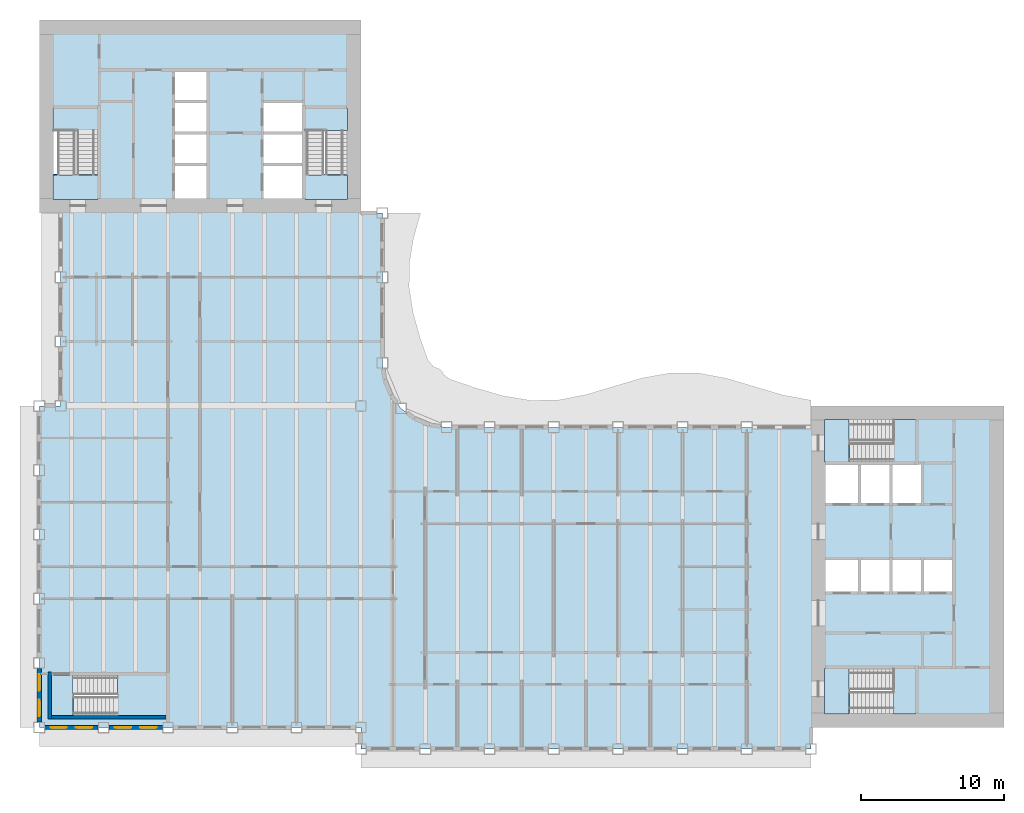
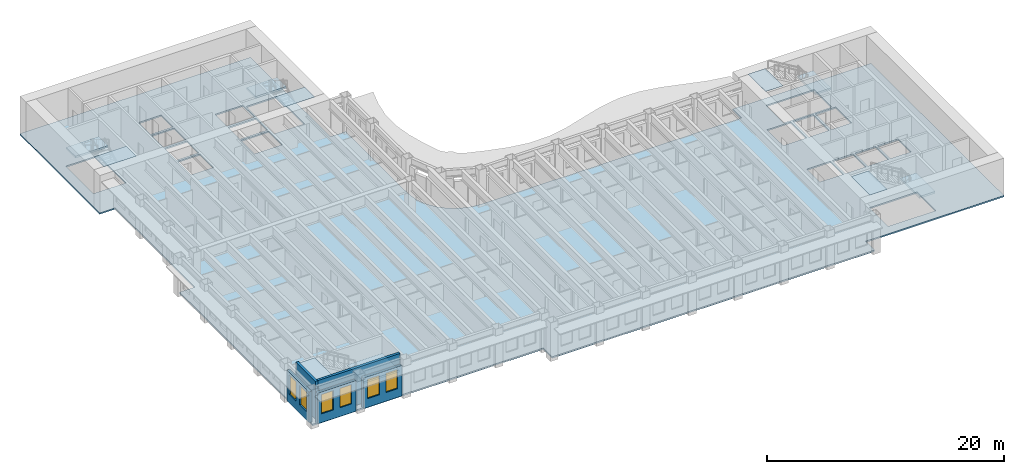
# One storey, part 2 of 17: 11 slabs, 6 windows, 5 walls, 6 openings, 5 elements without a shape of their own.
"""IFC4 building model written with IfcOpenShell, lengths in metres."""

from ifc_helpers import new_model, si_unit, direction, frame, frame_2d, origin, place, context, subcontext, project, spatial, polyline, rectangle, outline, extrude, material, layer, layer_set, type_object, element, fill, aggregate, save


model = new_model("IFC4")

# Units and contexts
model_context = context("Model", 3, precision=1e-05, world=origin(), true_north=direction((0.0, 1.0)))
body_context = subcontext(model_context, "Body", "Model", "MODEL_VIEW")
ifc_project = project(units=[si_unit("LENGTHUNIT", "METRE"), si_unit("AREAUNIT", "SQUARE_METRE"), si_unit("VOLUMEUNIT", "CUBIC_METRE"), si_unit("PLANEANGLEUNIT", "RADIAN"), si_unit("MASSUNIT", "GRAM", prefix="KILO")], contexts=[model_context])

# Site, building, storey
site_placement = place(None, origin())
site = spatial("IfcSite", under=ifc_project, at=site_placement, CompositionType="ELEMENT")
building_placement = place(site_placement, origin())
building = spatial("IfcBuilding", under=site, at=building_placement, Name="Sennacour Bend Tower", CompositionType="ELEMENT")
storey_placement = place(building_placement, frame((0.0, 0.0, 195.0)))
storey = spatial("IfcBuildingStorey", under=building, at=storey_placement, Name="L44", CompositionType="ELEMENT", Elevation=195.0)

# Slabs
ifc_material_1 = material(Name="Concrete C30/37", Category="concrete")
ifc_layer_1 = layer(ifc_material_1, 0.14990234375, Name="Concrete C30/37", Category="concrete")
ifc_layer_set_1 = layer_set([ifc_layer_1], Name="Concrete C30/37")
slab_type_1 = type_object("IfcSlabType", Name="Floor slab 150", PredefinedType="FLOOR", material=ifc_layer_set_1)
slab_1_placement = place(storey_placement, frame((0.0, 0.0, -0.14990234375)))
element("IfcSlab", 1, at=slab_1_placement, inside=storey, type_object=slab_type_1, Name="Floor slab L44-01", PredefinedType="FLOOR", context=body_context, shape_type="SweptSolid", body=[
    extrude(outline(polyline([(22.5, 0.0), (0.0, 0.0), (0.0, 22.5), (1.5, 22.5), (1.5, 36.0), (0.0, 36.0), (0.0, 49.5), (22.5, 49.5), (22.5, 36.0), (24.0, 36.0), (24.0, 25.5), (24.1533203125, 24.335205078125), (24.602783203125, 23.25), (25.318115234375, 22.318115234375), (26.25, 21.602783203125), (27.335205078125, 21.1533203125), (28.5, 21.0), (54.0, 21.0), (54.0, 22.5), (67.5, 22.5), (67.5, 0.0), (54.0, 0.0), (54.0, -1.5), (22.5, -1.5), (22.5, 0.0)]), holes=[polyline([(8.800048828125, 0.949951171875), (8.800048828125, 3.5), (2.429931640625, 3.5), (2.429931640625, 0.949951171875), (8.800048828125, 0.949951171875)]), polyline([(11.699951171875, 37.0), (11.699951171875, 39.300048828125), (9.5, 39.300048828125), (9.5, 37.0), (11.699951171875, 37.0)]), polyline([(18.39990234375, 37.0), (18.39990234375, 39.300048828125), (15.699951171875, 39.300048828125), (15.699951171875, 37.0), (18.39990234375, 37.0)]), polyline([(11.699951171875, 39.5), (11.699951171875, 41.5), (9.5, 41.5), (9.5, 39.5), (11.699951171875, 39.5)]), polyline([(18.39990234375, 39.5), (18.39990234375, 41.5), (15.699951171875, 41.5), (15.699951171875, 39.5), (18.39990234375, 39.5)]), polyline([(4.125, 38.72998046875), (4.125, 43.39990234375), (0.949951171875, 43.39990234375), (0.949951171875, 38.72998046875), (4.125, 38.72998046875)]), polyline([(21.550048828125, 38.72998046875), (21.550048828125, 43.39990234375), (18.574951171875, 43.39990234375), (18.574951171875, 38.72998046875), (21.550048828125, 38.72998046875)]), polyline([(9.5, 41.699951171875), (11.699951171875, 41.699951171875), (11.699951171875, 43.699951171875), (9.5, 43.699951171875), (9.5, 41.699951171875)]), polyline([(15.699951171875, 41.699951171875), (18.39990234375, 41.699951171875), (18.39990234375, 43.699951171875), (15.699951171875, 43.699951171875), (15.699951171875, 41.699951171875)]), polyline([(11.699951171875, 43.89990234375), (11.699951171875, 45.89990234375), (9.5, 45.89990234375), (9.5, 43.89990234375), (11.699951171875, 43.89990234375)]), polyline([(61.39990234375, 0.949951171875), (61.39990234375, 4.125), (56.72998046875, 4.125), (56.72998046875, 0.949951171875), (61.39990234375, 0.949951171875)]), polyline([(57.300048828125, 9.5), (57.300048828125, 11.699951171875), (55.0, 11.699951171875), (55.0, 9.5), (57.300048828125, 9.5)]), polyline([(57.5, 9.5), (59.5, 9.5), (59.5, 11.699951171875), (57.5, 11.699951171875), (57.5, 9.5)]), polyline([(59.699951171875, 9.5), (61.699951171875, 9.5), (61.699951171875, 11.699951171875), (59.699951171875, 11.699951171875), (59.699951171875, 9.5)]), polyline([(63.89990234375, 9.5), (63.89990234375, 11.699951171875), (61.89990234375, 11.699951171875), (61.89990234375, 9.5), (63.89990234375, 9.5)]), polyline([(57.300048828125, 15.699951171875), (57.300048828125, 18.39990234375), (55.0, 18.39990234375), (55.0, 15.699951171875), (57.300048828125, 15.699951171875)]), polyline([(59.5, 15.699951171875), (59.5, 18.39990234375), (57.5, 18.39990234375), (57.5, 15.699951171875), (59.5, 15.699951171875)]), polyline([(59.699951171875, 15.699951171875), (61.699951171875, 15.699951171875), (61.699951171875, 18.39990234375), (59.699951171875, 18.39990234375), (59.699951171875, 15.699951171875)]), polyline([(56.72998046875, 18.574951171875), (61.39990234375, 18.574951171875), (61.39990234375, 21.550048828125), (56.72998046875, 21.550048828125), (56.72998046875, 18.574951171875)])]), origin(), (0.0, 0.0, 1.0), 0.14990234375),
])
ifc_material_2 = material(Name="Concrete C40/50", Category="concrete")
ifc_layer_2 = layer(ifc_material_2, 0.034912109375, Name="Concrete C40/50", Category="concrete")
ifc_layer_set_2 = layer_set([ifc_layer_2], Name="Concrete C40/50")
slab_type_2 = type_object("IfcSlabType", Name="Stair arrival nib 35", PredefinedType="FLOOR", material=ifc_layer_set_2)
slab_2_placement = place(storey_placement, frame((0.0, 0.0, 3.815185546875)))
element("IfcSlab", 2, at=slab_2_placement, inside=storey, type_object=slab_type_2, Name="L44 SA1 stair arrival nib", PredefinedType="FLOOR", context=body_context, shape_type="SweptSolid", body=[
    extrude(outline(polyline([(56.64208984375, 4.125), (54.949951171875, 4.125), (54.949951171875, 0.949951171875), (56.64208984375, 0.949951171875), (56.64208984375, 4.125)])), origin(), (0.0, 0.0, 1.0), 0.034912109375),
])
slab_3_placement = place(storey_placement, frame((0.0, 0.0, 3.815185546875)))
element("IfcSlab", 3, at=slab_3_placement, inside=storey, type_object=slab_type_2, Name="L44 SA2 stair arrival nib", PredefinedType="FLOOR", context=body_context, shape_type="SweptSolid", body=[
    extrude(outline(polyline([(56.64208984375, 21.550048828125), (54.949951171875, 21.550048828125), (54.949951171875, 18.574951171875), (56.64208984375, 18.574951171875), (56.64208984375, 21.550048828125)])), origin(), (0.0, 0.0, 1.0), 0.034912109375),
])
slab_4_placement = place(storey_placement, frame((0.0, 0.0, 3.815185546875)))
element("IfcSlab", 4, at=slab_4_placement, inside=storey, type_object=slab_type_2, Name="L44 SB1 stair arrival nib", PredefinedType="FLOOR", context=body_context, shape_type="SweptSolid", body=[
    extrude(outline(polyline([(0.949951171875, 38.64208984375), (0.949951171875, 36.949951171875), (4.125, 36.949951171875), (4.125, 38.64208984375), (0.949951171875, 38.64208984375)])), origin(), (0.0, 0.0, 1.0), 0.034912109375),
])
slab_5_placement = place(storey_placement, frame((0.0, 0.0, 3.815185546875)))
element("IfcSlab", 5, at=slab_5_placement, inside=storey, type_object=slab_type_2, Name="L44 SB2 stair arrival nib", PredefinedType="FLOOR", context=body_context, shape_type="SweptSolid", body=[
    extrude(outline(polyline([(18.574951171875, 38.64208984375), (18.574951171875, 36.949951171875), (21.550048828125, 36.949951171875), (21.550048828125, 38.64208984375), (18.574951171875, 38.64208984375)])), origin(), (0.0, 0.0, 1.0), 0.034912109375),
])
slab_6_placement = place(storey_placement, frame((0.0, 0.0, 3.815185546875)))
element("IfcSlab", 6, at=slab_6_placement, inside=storey, type_object=slab_type_2, Name="L44 SK1 stair arrival nib", PredefinedType="FLOOR", context=body_context, shape_type="SweptSolid", body=[
    extrude(outline(polyline([(2.342041015625, 3.675048828125), (0.800048828125, 3.675048828125), (0.800048828125, 0.800048828125), (2.342041015625, 0.800048828125), (2.342041015625, 3.675048828125)])), origin(), (0.0, 0.0, 1.0), 0.034912109375),
])

# Stair, slab
stair_type = type_object("IfcStairType", Name="ST-DOGLEG", PredefinedType="HALF_TURN_STAIR", material=ifc_material_2)
stair_1_placement = place(storey_placement, origin())
stair_1 = element("IfcStair", 7, at=stair_1_placement, inside=storey, type_object=stair_type, Name="L44 Exit stair A1", PredefinedType="HALF_TURN_STAIR")
ifc_layer_3 = layer(ifc_material_2, 0.199951171875, Name="Concrete C40/50", Category="concrete")
ifc_layer_set_3 = layer_set([ifc_layer_3], Name="Concrete C40/50")
slab_type_3 = type_object("IfcSlabType", Name="Stair landing 200", PredefinedType="LANDING", material=ifc_layer_set_3)
slab_7_placement = place(storey_placement, frame((0.0, 0.0, 1.800048828125)))
slab_7 = element("IfcSlab", 8, at=slab_7_placement, type_object=slab_type_3, Name="SA1 landing 1", PredefinedType="LANDING", context=body_context, shape_type="SweptSolid", body=[
    extrude(outline(polyline([(59.780029296875, 0.949951171875), (61.324951171875, 0.949951171875), (61.324951171875, 4.125), (59.780029296875, 4.125), (59.780029296875, 0.949951171875)])), origin(), (0.0, 0.0, 1.0), 0.199951171875),
])
aggregate(stair_1, [slab_7])

stair_2_placement = place(storey_placement, origin())
stair_2 = element("IfcStair", 9, at=stair_2_placement, inside=storey, type_object=stair_type, Name="L44 Exit stair A2", PredefinedType="HALF_TURN_STAIR")
slab_8_placement = place(storey_placement, frame((0.0, 0.0, 1.800048828125)))
slab_8 = element("IfcSlab", 10, at=slab_8_placement, type_object=slab_type_3, Name="SA2 landing 1", PredefinedType="LANDING", context=body_context, shape_type="SweptSolid", body=[
    extrude(outline(polyline([(59.780029296875, 18.574951171875), (61.324951171875, 18.574951171875), (61.324951171875, 21.550048828125), (59.780029296875, 21.550048828125), (59.780029296875, 18.574951171875)])), origin(), (0.0, 0.0, 1.0), 0.199951171875),
])
aggregate(stair_2, [slab_8])

stair_3_placement = place(storey_placement, origin())
stair_3 = element("IfcStair", 11, at=stair_3_placement, inside=storey, type_object=stair_type, Name="L44 Exit stair B1", PredefinedType="HALF_TURN_STAIR")
slab_9_placement = place(storey_placement, frame((0.0, 0.0, 1.800048828125)))
slab_9 = element("IfcSlab", 12, at=slab_9_placement, type_object=slab_type_3, Name="SB1 landing 1", PredefinedType="LANDING", context=body_context, shape_type="SweptSolid", body=[
    extrude(outline(polyline([(0.949951171875, 41.780029296875), (4.125, 41.780029296875), (4.125, 43.324951171875), (0.949951171875, 43.324951171875), (0.949951171875, 41.780029296875)])), origin(), (0.0, 0.0, 1.0), 0.199951171875),
])
aggregate(stair_3, [slab_9])

stair_4_placement = place(storey_placement, origin())
stair_4 = element("IfcStair", 13, at=stair_4_placement, inside=storey, type_object=stair_type, Name="L44 Exit stair B2", PredefinedType="HALF_TURN_STAIR")
slab_10_placement = place(storey_placement, frame((0.0, 0.0, 1.800048828125)))
slab_10 = element("IfcSlab", 14, at=slab_10_placement, type_object=slab_type_3, Name="SB2 landing 1", PredefinedType="LANDING", context=body_context, shape_type="SweptSolid", body=[
    extrude(outline(polyline([(18.574951171875, 41.780029296875), (21.550048828125, 41.780029296875), (21.550048828125, 43.324951171875), (18.574951171875, 43.324951171875), (18.574951171875, 41.780029296875)])), origin(), (0.0, 0.0, 1.0), 0.199951171875),
])
aggregate(stair_4, [slab_10])

stair_5_placement = place(storey_placement, origin())
stair_5 = element("IfcStair", 15, at=stair_5_placement, inside=storey, type_object=stair_type, Name="L44 Exit stair K1", PredefinedType="HALF_TURN_STAIR")
slab_11_placement = place(storey_placement, frame((0.0, 0.0, 1.800048828125)))
slab_11 = element("IfcSlab", 16, at=slab_11_placement, type_object=slab_type_3, Name="SK1 landing 1", PredefinedType="LANDING", context=body_context, shape_type="SweptSolid", body=[
    extrude(outline(polyline([(5.47998046875, 0.800048828125), (8.925048828125, 0.800048828125), (8.925048828125, 3.675048828125), (5.47998046875, 3.675048828125), (5.47998046875, 0.800048828125)])), origin(), (0.0, 0.0, 1.0), 0.199951171875),
])
aggregate(stair_5, [slab_11])

# Wall, openings, windows
ifc_material_3 = material(Name="Warm limestone cladding", Category="masonry")
ifc_layer_4 = layer(ifc_material_3, 0.050048828125, Name="Warm limestone cladding", Category="masonry")
ifc_material_4 = material(Name="Precast concrete C40/50", Category="concrete")
ifc_layer_5 = layer(ifc_material_4, 0.25, Name="Precast concrete C40/50", Category="concrete")
ifc_layer_set_4 = layer_set([ifc_layer_4, ifc_layer_5], Name="Precast concrete C40/50 with limestone cladding")
wall_type_1 = type_object("IfcWallType", Name="STONE-CLAD PRECAST SPANDREL 300", PredefinedType="STANDARD", material=ifc_layer_set_4)
wall_1_placement = place(storey_placement, frame((0.0, 4.125, 0.0), z_axis=(0.0, 0.0, 1.0), x_axis=(0.0, -1.0, 0.0)))
wall_1 = element("IfcWall", 17, at=wall_1_placement, inside=storey, type_object=wall_type_1, Name="Stone spandrel and pier wall L44 21.04", PredefinedType="STANDARD", context=body_context, shape_type="SweptSolid", body=[
    extrude(rectangle(XDim=3.75, YDim=0.300048828125, at=frame_2d((1.875, 0.0))), origin(), (0.0, 0.0, 1.0), 3.156982421875),
])
opening_1_placement = place(wall_1_placement, frame((0.41259765625, 0.0, 0.89990234375)))
opening_1 = element("IfcOpeningElement", 18, at=opening_1_placement, cuts=wall_1, Name="Opening W24", PredefinedType="OPENING", context=body_context, shape_type="SweptSolid", body=[
    extrude(rectangle(XDim=1.14990234375, YDim=2.0, at=frame_2d((0.574951171875, 1.0))), frame((0.0, 0.16015625, 0.0), z_axis=(0.0, -1.0, 0.0), x_axis=(1.0, 0.0, 0.0)), (0.0, 0.0, 1.0), 0.320068359375),
])
opening_2_placement = place(wall_1_placement, frame((2.1875, 0.0, 0.89990234375)))
opening_2 = element("IfcOpeningElement", 19, at=opening_2_placement, cuts=wall_1, Name="Opening W24", PredefinedType="OPENING", context=body_context, shape_type="SweptSolid", body=[
    extrude(rectangle(XDim=1.14990234375, YDim=2.0, at=frame_2d((0.574951171875, 1.0))), frame((0.0, 0.16015625, 0.0), z_axis=(0.0, -1.0, 0.0), x_axis=(1.0, 0.0, 0.0)), (0.0, 0.0, 1.0), 0.320068359375),
])
ifc_material_5 = material(Name="Clear low-emissivity glass", Category="glass")
window_type = type_object("IfcWindowType", Name="WIN-RIBBON-1150x2000", PartitioningType="SINGLE_PANEL", PredefinedType="WINDOW", material=ifc_material_5)
window_1_placement = place(opening_1_placement, origin())
window_1 = element("IfcWindow", 20, at=window_1_placement, inside=storey, type_object=window_type, Name="Ribbon window L44 21.04.0", OverallHeight=2.0, OverallWidth=1.14990234375, PartitioningType="SINGLE_PANEL", PredefinedType="WINDOW", context=body_context, shape_type="SweptSolid", body=[
    extrude(rectangle(XDim=1.14990234375, YDim=2.0, at=frame_2d((0.574951171875, 1.0))), frame((0.0, 0.030029296875, 0.0), z_axis=(0.0, -1.0, 0.0), x_axis=(1.0, 0.0, 0.0)), (0.0, 0.0, 1.0), 0.06005859375),
])
fill(opening_1, window_1)
window_2_placement = place(opening_2_placement, origin())
window_2 = element("IfcWindow", 21, at=window_2_placement, inside=storey, type_object=window_type, Name="Ribbon window L44 21.04.1", OverallHeight=2.0, OverallWidth=1.14990234375, PartitioningType="SINGLE_PANEL", PredefinedType="WINDOW", context=body_context, shape_type="SweptSolid", body=[
    extrude(rectangle(XDim=1.14990234375, YDim=2.0, at=frame_2d((0.574951171875, 1.0))), frame((0.0, 0.030029296875, 0.0), z_axis=(0.0, -1.0, 0.0), x_axis=(1.0, 0.0, 0.0)), (0.0, 0.0, 1.0), 0.06005859375),
])
fill(opening_2, window_2)

wall_2_placement = place(storey_placement, frame((0.375, 0.0, 0.0), z_axis=(0.0, 0.0, 1.0), x_axis=(1.0, 0.0, 0.0)))
wall_2 = element("IfcWall", 22, at=wall_2_placement, inside=storey, type_object=wall_type_1, Name="Stone spandrel and pier wall L44 22.00", PredefinedType="STANDARD", context=body_context, shape_type="SweptSolid", body=[
    extrude(rectangle(XDim=3.75, YDim=0.300048828125, at=frame_2d((1.875, 0.0))), origin(), (0.0, 0.0, 1.0), 3.156982421875),
])
opening_3_placement = place(wall_2_placement, frame((0.41259765625, 0.0, 0.89990234375)))
opening_3 = element("IfcOpeningElement", 23, at=opening_3_placement, cuts=wall_2, Name="Opening W24", PredefinedType="OPENING", context=body_context, shape_type="SweptSolid", body=[
    extrude(rectangle(XDim=1.14990234375, YDim=2.0, at=frame_2d((0.574951171875, 1.0))), frame((0.0, 0.16015625, 0.0), z_axis=(0.0, -1.0, 0.0), x_axis=(1.0, 0.0, 0.0)), (0.0, 0.0, 1.0), 0.320068359375),
])
opening_4_placement = place(wall_2_placement, frame((2.1875, 0.0, 0.89990234375)))
opening_4 = element("IfcOpeningElement", 24, at=opening_4_placement, cuts=wall_2, Name="Opening W24", PredefinedType="OPENING", context=body_context, shape_type="SweptSolid", body=[
    extrude(rectangle(XDim=1.14990234375, YDim=2.0, at=frame_2d((0.574951171875, 1.0))), frame((0.0, 0.16015625, 0.0), z_axis=(0.0, -1.0, 0.0), x_axis=(1.0, 0.0, 0.0)), (0.0, 0.0, 1.0), 0.320068359375),
])
window_3_placement = place(opening_3_placement, origin())
window_3 = element("IfcWindow", 25, at=window_3_placement, inside=storey, type_object=window_type, Name="Ribbon window L44 22.00.0", OverallHeight=2.0, OverallWidth=1.14990234375, PartitioningType="SINGLE_PANEL", PredefinedType="WINDOW", context=body_context, shape_type="SweptSolid", body=[
    extrude(rectangle(XDim=1.14990234375, YDim=2.0, at=frame_2d((0.574951171875, 1.0))), frame((0.0, 0.030029296875, 0.0), z_axis=(0.0, -1.0, 0.0), x_axis=(1.0, 0.0, 0.0)), (0.0, 0.0, 1.0), 0.06005859375),
])
fill(opening_3, window_3)
window_4_placement = place(opening_4_placement, origin())
window_4 = element("IfcWindow", 26, at=window_4_placement, inside=storey, type_object=window_type, Name="Ribbon window L44 22.00.1", OverallHeight=2.0, OverallWidth=1.14990234375, PartitioningType="SINGLE_PANEL", PredefinedType="WINDOW", context=body_context, shape_type="SweptSolid", body=[
    extrude(rectangle(XDim=1.14990234375, YDim=2.0, at=frame_2d((0.574951171875, 1.0))), frame((0.0, 0.030029296875, 0.0), z_axis=(0.0, -1.0, 0.0), x_axis=(1.0, 0.0, 0.0)), (0.0, 0.0, 1.0), 0.06005859375),
])
fill(opening_4, window_4)

wall_3_placement = place(storey_placement, frame((4.875, 0.0, 0.0), z_axis=(0.0, 0.0, 1.0), x_axis=(1.0, 0.0, 0.0)))
wall_3 = element("IfcWall", 27, at=wall_3_placement, inside=storey, type_object=wall_type_1, Name="Stone spandrel and pier wall L44 22.01", PredefinedType="STANDARD", context=body_context, shape_type="SweptSolid", body=[
    extrude(rectangle(XDim=3.75, YDim=0.300048828125, at=frame_2d((1.875, 0.0))), origin(), (0.0, 0.0, 1.0), 3.156982421875),
])
opening_5_placement = place(wall_3_placement, frame((0.41259765625, 0.0, 0.89990234375)))
opening_5 = element("IfcOpeningElement", 28, at=opening_5_placement, cuts=wall_3, Name="Opening W24", PredefinedType="OPENING", context=body_context, shape_type="SweptSolid", body=[
    extrude(rectangle(XDim=1.14990234375, YDim=2.0, at=frame_2d((0.574951171875, 1.0))), frame((0.0, 0.16015625, 0.0), z_axis=(0.0, -1.0, 0.0), x_axis=(1.0, 0.0, 0.0)), (0.0, 0.0, 1.0), 0.320068359375),
])
opening_6_placement = place(wall_3_placement, frame((2.1875, 0.0, 0.89990234375)))
opening_6 = element("IfcOpeningElement", 29, at=opening_6_placement, cuts=wall_3, Name="Opening W24", PredefinedType="OPENING", context=body_context, shape_type="SweptSolid", body=[
    extrude(rectangle(XDim=1.14990234375, YDim=2.0, at=frame_2d((0.574951171875, 1.0))), frame((0.0, 0.16015625, 0.0), z_axis=(0.0, -1.0, 0.0), x_axis=(1.0, 0.0, 0.0)), (0.0, 0.0, 1.0), 0.320068359375),
])
window_5_placement = place(opening_5_placement, origin())
window_5 = element("IfcWindow", 30, at=window_5_placement, inside=storey, type_object=window_type, Name="Ribbon window L44 22.01.0", OverallHeight=2.0, OverallWidth=1.14990234375, PartitioningType="SINGLE_PANEL", PredefinedType="WINDOW", context=body_context, shape_type="SweptSolid", body=[
    extrude(rectangle(XDim=1.14990234375, YDim=2.0, at=frame_2d((0.574951171875, 1.0))), frame((0.0, 0.030029296875, 0.0), z_axis=(0.0, -1.0, 0.0), x_axis=(1.0, 0.0, 0.0)), (0.0, 0.0, 1.0), 0.06005859375),
])
fill(opening_5, window_5)
window_6_placement = place(opening_6_placement, origin())
window_6 = element("IfcWindow", 31, at=window_6_placement, inside=storey, type_object=window_type, Name="Ribbon window L44 22.01.1", OverallHeight=2.0, OverallWidth=1.14990234375, PartitioningType="SINGLE_PANEL", PredefinedType="WINDOW", context=body_context, shape_type="SweptSolid", body=[
    extrude(rectangle(XDim=1.14990234375, YDim=2.0, at=frame_2d((0.574951171875, 1.0))), frame((0.0, 0.030029296875, 0.0), z_axis=(0.0, -1.0, 0.0), x_axis=(1.0, 0.0, 0.0)), (0.0, 0.0, 1.0), 0.06005859375),
])
fill(opening_6, window_6)

# Walls
ifc_material_6 = material(Name="Concrete C60/75", Category="concrete")
ifc_layer_6 = layer(ifc_material_6, 0.25, Name="Concrete C60/75", Category="concrete")
ifc_layer_set_5 = layer_set([ifc_layer_6], Name="Concrete C60/75")
wall_type_2 = type_object("IfcWallType", Name="Stair wall 250", PredefinedType="SHEAR", material=ifc_layer_set_5)
wall_4_placement = place(storey_placement, frame((0.72509765625, 0.60009765625, 0.0), z_axis=(0.0, 0.0, 1.0), x_axis=(0.0, 1.0, 0.0)))
element("IfcWall", 32, at=wall_4_placement, inside=storey, type_object=wall_type_2, Name="P-L44-W002", PredefinedType="SHEAR", context=body_context, shape_type="SweptSolid", body=[
    extrude(rectangle(XDim=3.27490234375, YDim=0.25, at=frame_2d((1.637451171875, 0.0))), origin(), (0.0, 0.0, 1.0), 3.85009765625),
])
wall_5_placement = place(storey_placement, frame((0.85009765625, 0.72509765625, 0.0), z_axis=(0.0, 0.0, 1.0), x_axis=(1.0, 0.0, 0.0)))
element("IfcWall", 33, at=wall_5_placement, inside=storey, type_object=wall_type_2, Name="P-L44-W052", PredefinedType="SHEAR", context=body_context, shape_type="SweptSolid", body=[
    extrude(rectangle(XDim=8.02490234375, YDim=0.25, at=frame_2d((4.012451171875, 0.0))), origin(), (0.0, 0.0, 1.0), 3.85009765625),
])

save(model, "model.ifc")
